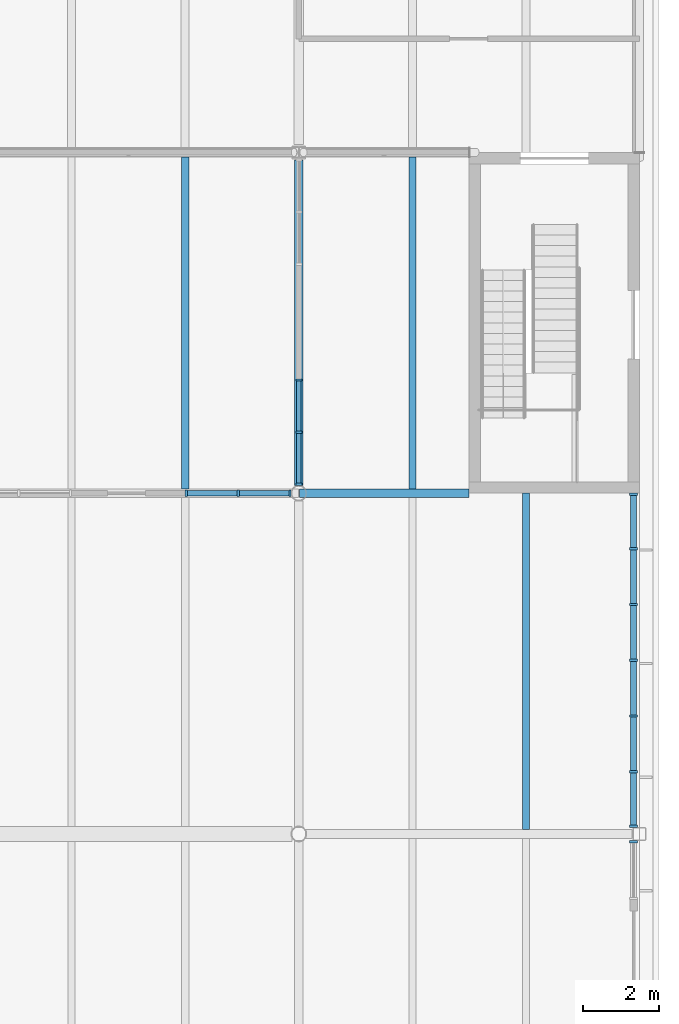
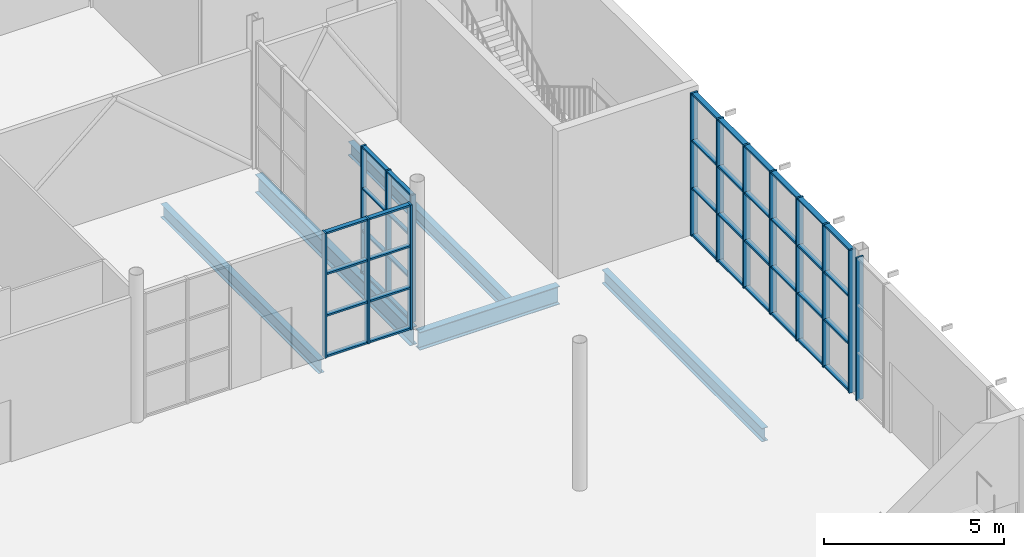
# One storey, part 25 of 63: 54 members, 5 beams, 4 elements without a shape of their own.
"""IFC4 building model written with IfcOpenShell, lengths in metres."""

from ifc_helpers import new_model, si_unit, direction, frame, origin, origin_2d, place, context, subcontext, project, spatial, rectangle, i_section, extrude, material, layer, layer_set, material_profile, profile_set, type_object, element, aggregate, save


model = new_model("IFC4")

# Units and contexts
model_context = context("Model", 3, precision=1e-05, world=origin(), true_north=direction((0.0, 1.0)))
body_context = subcontext(model_context, "Body", "Model", "MODEL_VIEW")
ifc_project = project(units=[si_unit("LENGTHUNIT", "METRE"), si_unit("AREAUNIT", "SQUARE_METRE"), si_unit("VOLUMEUNIT", "CUBIC_METRE"), si_unit("PLANEANGLEUNIT", "RADIAN"), si_unit("MASSUNIT", "GRAM", prefix="KILO")], contexts=[model_context])

# Site, building, storey
site_placement = place(None, origin())
site = spatial("IfcSite", under=ifc_project, at=site_placement, CompositionType="ELEMENT")
building_placement = place(site_placement, origin())
building = spatial("IfcBuilding", under=site, at=building_placement, Name="Halyard Row Museum", CompositionType="ELEMENT")
storey_placement = place(building_placement, origin())
storey = spatial("IfcBuildingStorey", under=building, at=storey_placement, Name="L00", CompositionType="ELEMENT", Elevation=0.0)

# Curtain wall, members
ifc_material_1 = material(Name="Double glazed unit, low-emissivity", Category="glass")
ifc_layer_1 = layer(ifc_material_1, 0.179931640625)
ifc_layer_set_1 = layer_set([ifc_layer_1], Name="Double glazed unit, low-emissivity")
curtain_wall_type_1 = type_object("IfcCurtainWallType", Name="Curtain wall stick 180 deep", PredefinedType="NOTDEFINED", material=ifc_layer_set_1)
curtain_wall_1_placement = place(storey_placement, origin())
curtain_wall_1 = element("IfcCurtainWall", 1, at=curtain_wall_1_placement, inside=storey, type_object=curtain_wall_type_1, Name="Curtain wall CW139", PredefinedType="NOTDEFINED")
ifc_material_2 = material(Name="Powder-coated aluminium section", Category="aluminium")
ifc_material_profile_1 = material_profile(ifc_material_2, rectangle(XDim=0.179931640625, YDim=0.06005859375, at=origin_2d()), Name="180x60 mullion")
ifc_profile_set_1 = profile_set([ifc_material_profile_1], Name="Powder-coated aluminium section")
member_type_1 = type_object("IfcMemberType", Name="Curtain wall mullion CM2 60 x 180", PredefinedType="MULLION", material=ifc_profile_set_1)
member_1_placement = place(storey_placement, frame((96.030029296875, 27.0, 0.0), z_axis=(0.0, 0.0, 1.0), x_axis=(0.0, 1.0, 0.0)))
member_1 = element("IfcMember", 2, at=member_1_placement, type_object=member_type_1, Name="CW139 mullion 1", PredefinedType="MULLION", context=body_context, shape_type="SweptSolid", body=[
    extrude(rectangle(XDim=0.179931640625, YDim=0.06005859375, at=origin_2d()), origin(), (0.0, 0.0, 1.0), 4.22802734375),
])
member_2_placement = place(storey_placement, frame((97.3984375, 27.0, 0.0), z_axis=(0.0, 0.0, 1.0), x_axis=(0.0, 1.0, 0.0)))
member_2 = element("IfcMember", 3, at=member_2_placement, type_object=member_type_1, Name="CW139 mullion 2", PredefinedType="MULLION", context=body_context, shape_type="SweptSolid", body=[
    extrude(rectangle(XDim=0.179931640625, YDim=0.06005859375, at=origin_2d()), origin(), (0.0, 0.0, 1.0), 4.22802734375),
])
member_3_placement = place(storey_placement, frame((98.766845703125, 27.0, 0.0), z_axis=(0.0, 0.0, 1.0), x_axis=(0.0, 1.0, 0.0)))
member_3 = element("IfcMember", 4, at=member_3_placement, type_object=member_type_1, Name="CW139 mullion 3", PredefinedType="MULLION", context=body_context, shape_type="SweptSolid", body=[
    extrude(rectangle(XDim=0.179931640625, YDim=0.06005859375, at=origin_2d()), origin(), (0.0, 0.0, 1.0), 4.22802734375),
])

# Curtain wall, member
ifc_material_3 = material(Name="Double glazed unit, low-emissivity", Category="glass")
ifc_layer_2 = layer(ifc_material_3, 0.219970703125)
ifc_layer_set_2 = layer_set([ifc_layer_2], Name="Double glazed unit, low-emissivity")
curtain_wall_type_2 = type_object("IfcCurtainWallType", Name="Curtain wall unitised 220 deep", PredefinedType="NOTDEFINED", material=ifc_layer_set_2)
curtain_wall_2_placement = place(storey_placement, origin())
curtain_wall_2 = element("IfcCurtainWall", 5, at=curtain_wall_2_placement, inside=storey, type_object=curtain_wall_type_2, Name="Curtain wall CW007", PredefinedType="NOTDEFINED")
ifc_material_4 = material(Name="Powder-coated aluminium section", Category="aluminium")
ifc_material_profile_2 = material_profile(ifc_material_4, rectangle(XDim=0.219970703125, YDim=0.06005859375, at=origin_2d()), Name="220x60 mullion")
ifc_profile_set_2 = profile_set([ifc_material_profile_2], Name="Powder-coated aluminium section")
member_type_2 = type_object("IfcMemberType", Name="Curtain wall mullion CM3 60 x 220", PredefinedType="MULLION", material=ifc_profile_set_2)
member_4_placement = place(storey_placement, frame((107.840087890625, 17.794921875, 0.0), z_axis=(0.0, 0.0, 1.0), x_axis=(-1.0, 0.0, 0.0)))
member_4 = element("IfcMember", 6, at=member_4_placement, type_object=member_type_2, Name="CW007 mullion 2", PredefinedType="MULLION", context=body_context, shape_type="SweptSolid", body=[
    extrude(rectangle(XDim=0.219970703125, YDim=0.06005859375, at=origin_2d()), origin(), (0.0, 0.0, 1.0), 4.8349609375),
])
aggregate(curtain_wall_2, [member_4])

# Curtain wall, members
curtain_wall_3_placement = place(storey_placement, origin())
curtain_wall_3 = element("IfcCurtainWall", 7, at=curtain_wall_3_placement, inside=storey, type_object=curtain_wall_type_2, Name="Curtain wall CW008", PredefinedType="NOTDEFINED")
member_5_placement = place(storey_placement, frame((107.840087890625, 18.205078125, 0.0), z_axis=(0.0, 0.0, 1.0), x_axis=(-1.0, 0.0, 0.0)))
member_5 = element("IfcMember", 8, at=member_5_placement, type_object=member_type_2, Name="CW008 mullion 1", PredefinedType="MULLION", context=body_context, shape_type="SweptSolid", body=[
    extrude(rectangle(XDim=0.219970703125, YDim=0.06005859375, at=origin_2d()), origin(), (0.0, 0.0, 1.0), 4.8349609375),
])
member_6_placement = place(storey_placement, frame((107.840087890625, 19.645751953125, 0.0), z_axis=(0.0, 0.0, 1.0), x_axis=(-1.0, 0.0, 0.0)))
member_6 = element("IfcMember", 9, at=member_6_placement, type_object=member_type_2, Name="CW008 mullion 2", PredefinedType="MULLION", context=body_context, shape_type="SweptSolid", body=[
    extrude(rectangle(XDim=0.219970703125, YDim=0.06005859375, at=origin_2d()), origin(), (0.0, 0.0, 1.0), 4.8349609375),
])
member_7_placement = place(storey_placement, frame((107.840087890625, 21.11669921875, 0.0), z_axis=(0.0, 0.0, 1.0), x_axis=(-1.0, 0.0, 0.0)))
member_7 = element("IfcMember", 10, at=member_7_placement, type_object=member_type_2, Name="CW008 mullion 3", PredefinedType="MULLION", context=body_context, shape_type="SweptSolid", body=[
    extrude(rectangle(XDim=0.219970703125, YDim=0.06005859375, at=origin_2d()), origin(), (0.0, 0.0, 1.0), 4.8349609375),
])
member_8_placement = place(storey_placement, frame((107.840087890625, 22.58740234375, 0.0), z_axis=(0.0, 0.0, 1.0), x_axis=(-1.0, 0.0, 0.0)))
member_8 = element("IfcMember", 11, at=member_8_placement, type_object=member_type_2, Name="CW008 mullion 4", PredefinedType="MULLION", context=body_context, shape_type="SweptSolid", body=[
    extrude(rectangle(XDim=0.219970703125, YDim=0.06005859375, at=origin_2d()), origin(), (0.0, 0.0, 1.0), 4.8349609375),
])
member_9_placement = place(storey_placement, frame((107.840087890625, 24.058349609375, 0.0), z_axis=(0.0, 0.0, 1.0), x_axis=(-1.0, 0.0, 0.0)))
member_9 = element("IfcMember", 12, at=member_9_placement, type_object=member_type_2, Name="CW008 mullion 5", PredefinedType="MULLION", context=body_context, shape_type="SweptSolid", body=[
    extrude(rectangle(XDim=0.219970703125, YDim=0.06005859375, at=origin_2d()), origin(), (0.0, 0.0, 1.0), 4.8349609375),
])
member_10_placement = place(storey_placement, frame((107.840087890625, 25.529052734375, 0.0), z_axis=(0.0, 0.0, 1.0), x_axis=(-1.0, 0.0, 0.0)))
member_10 = element("IfcMember", 13, at=member_10_placement, type_object=member_type_2, Name="CW008 mullion 6", PredefinedType="MULLION", context=body_context, shape_type="SweptSolid", body=[
    extrude(rectangle(XDim=0.219970703125, YDim=0.06005859375, at=origin_2d()), origin(), (0.0, 0.0, 1.0), 4.8349609375),
])
member_11_placement = place(storey_placement, frame((107.840087890625, 26.969970703125, 0.0), z_axis=(0.0, 0.0, 1.0), x_axis=(-1.0, 0.0, 0.0)))
member_11 = element("IfcMember", 14, at=member_11_placement, type_object=member_type_2, Name="CW008 mullion 7", PredefinedType="MULLION", context=body_context, shape_type="SweptSolid", body=[
    extrude(rectangle(XDim=0.219970703125, YDim=0.06005859375, at=origin_2d()), origin(), (0.0, 0.0, 1.0), 4.8349609375),
])

ifc_material_5 = material(Name="Fire-resisting laminated glazing", Category="glass")
ifc_layer_3 = layer(ifc_material_5, 0.159912109375)
ifc_layer_set_3 = layer_set([ifc_layer_3], Name="Fire-resisting laminated glazing")
curtain_wall_type_3 = type_object("IfcCurtainWallType", Name="Curtain wall atrium screen 160 deep", PredefinedType="NOTDEFINED", material=ifc_layer_set_3)
curtain_wall_4_placement = place(storey_placement, origin())
curtain_wall_4 = element("IfcCurtainWall", 15, at=curtain_wall_4_placement, inside=storey, type_object=curtain_wall_type_3, Name="Curtain wall CW140", PredefinedType="NOTDEFINED")
ifc_material_6 = material(Name="Powder-coated aluminium section", Category="aluminium")
ifc_material_profile_3 = material_profile(ifc_material_6, rectangle(XDim=0.159912109375, YDim=0.06005859375, at=origin_2d()), Name="160x60 mullion")
ifc_profile_set_3 = profile_set([ifc_material_profile_3], Name="Powder-coated aluminium section")
member_type_3 = type_object("IfcMemberType", Name="Curtain wall mullion CM5 60 x 160", PredefinedType="MULLION", material=ifc_profile_set_3)
member_12_placement = place(storey_placement, frame((99.0, 27.233154296875, 0.0), z_axis=(0.0, 0.0, 1.0), x_axis=(-1.0, 0.0, 0.0)))
member_12 = element("IfcMember", 16, at=member_12_placement, type_object=member_type_3, Name="CW140 mullion 1", PredefinedType="MULLION", context=body_context, shape_type="SweptSolid", body=[
    extrude(rectangle(XDim=0.159912109375, YDim=0.06005859375, at=origin_2d()), origin(), (0.0, 0.0, 1.0), 4.302001953125),
])
member_13_placement = place(storey_placement, frame((99.0, 28.610107421875, 0.0), z_axis=(0.0, 0.0, 1.0), x_axis=(-1.0, 0.0, 0.0)))
member_13 = element("IfcMember", 17, at=member_13_placement, type_object=member_type_3, Name="CW140 mullion 2", PredefinedType="MULLION", context=body_context, shape_type="SweptSolid", body=[
    extrude(rectangle(XDim=0.159912109375, YDim=0.06005859375, at=origin_2d()), origin(), (0.0, 0.0, 1.0), 4.302001953125),
])
member_14_placement = place(storey_placement, frame((99.0, 29.98681640625, 0.0), z_axis=(0.0, 0.0, 1.0), x_axis=(-1.0, 0.0, 0.0)))
member_14 = element("IfcMember", 18, at=member_14_placement, type_object=member_type_3, Name="CW140 mullion 3", PredefinedType="MULLION", context=body_context, shape_type="SweptSolid", body=[
    extrude(rectangle(XDim=0.159912109375, YDim=0.06005859375, at=origin_2d()), origin(), (0.0, 0.0, 1.0), 4.302001953125),
])

# Member
ifc_material_7 = material(Name="Powder-coated aluminium section", Category="aluminium")
ifc_material_profile_4 = material_profile(ifc_material_7, rectangle(XDim=0.139892578125, YDim=0.06005859375, at=origin_2d()), Name="140x60 transom")
ifc_profile_set_4 = profile_set([ifc_material_profile_4], Name="Powder-coated aluminium section")
member_type_4 = type_object("IfcMemberType", Name="Curtain wall transom CT2 60 x 140", PredefinedType="USERDEFINED", material=ifc_profile_set_4)
member_15_placement = place(storey_placement, frame((96.06005859375, 27.0, 0.030029296875), z_axis=(1.0, 0.0, 0.0), x_axis=(0.0, 1.0, 0.0)))
member_15 = element("IfcMember", 19, at=member_15_placement, type_object=member_type_4, Name="CW139 transom 1.1", ObjectType="TRANSOM", PredefinedType="USERDEFINED", context=body_context, shape_type="SweptSolid", body=[
    extrude(rectangle(XDim=0.139892578125, YDim=0.06005859375, at=origin_2d()), origin(), (0.0, 0.0, 1.0), 1.308349609375),
])

member_16_placement = place(storey_placement, frame((96.06005859375, 27.0, 1.409423828125), z_axis=(1.0, 0.0, 0.0), x_axis=(0.0, 1.0, 0.0)))
member_16 = element("IfcMember", 20, at=member_16_placement, type_object=member_type_4, Name="CW139 transom 1.2", ObjectType="TRANSOM", PredefinedType="USERDEFINED", context=body_context, shape_type="SweptSolid", body=[
    extrude(rectangle(XDim=0.139892578125, YDim=0.06005859375, at=origin_2d()), origin(), (0.0, 0.0, 1.0), 1.308349609375),
])

member_17_placement = place(storey_placement, frame((96.06005859375, 27.0, 2.818603515625), z_axis=(1.0, 0.0, 0.0), x_axis=(0.0, 1.0, 0.0)))
member_17 = element("IfcMember", 21, at=member_17_placement, type_object=member_type_4, Name="CW139 transom 1.3", ObjectType="TRANSOM", PredefinedType="USERDEFINED", context=body_context, shape_type="SweptSolid", body=[
    extrude(rectangle(XDim=0.139892578125, YDim=0.06005859375, at=origin_2d()), origin(), (0.0, 0.0, 1.0), 1.308349609375),
])

member_18_placement = place(storey_placement, frame((96.06005859375, 27.0, 4.197998046875), z_axis=(1.0, 0.0, 0.0), x_axis=(0.0, 1.0, 0.0)))
member_18 = element("IfcMember", 22, at=member_18_placement, type_object=member_type_4, Name="CW139 transom 1.4", ObjectType="TRANSOM", PredefinedType="USERDEFINED", context=body_context, shape_type="SweptSolid", body=[
    extrude(rectangle(XDim=0.139892578125, YDim=0.06005859375, at=origin_2d()), origin(), (0.0, 0.0, 1.0), 1.308349609375),
])

member_19_placement = place(storey_placement, frame((97.428466796875, 27.0, 0.030029296875), z_axis=(1.0, 0.0, 0.0), x_axis=(0.0, 1.0, 0.0)))
member_19 = element("IfcMember", 23, at=member_19_placement, type_object=member_type_4, Name="CW139 transom 2.1", ObjectType="TRANSOM", PredefinedType="USERDEFINED", context=body_context, shape_type="SweptSolid", body=[
    extrude(rectangle(XDim=0.139892578125, YDim=0.06005859375, at=origin_2d()), origin(), (0.0, 0.0, 1.0), 1.308349609375),
])

member_20_placement = place(storey_placement, frame((97.428466796875, 27.0, 1.409423828125), z_axis=(1.0, 0.0, 0.0), x_axis=(0.0, 1.0, 0.0)))
member_20 = element("IfcMember", 24, at=member_20_placement, type_object=member_type_4, Name="CW139 transom 2.2", ObjectType="TRANSOM", PredefinedType="USERDEFINED", context=body_context, shape_type="SweptSolid", body=[
    extrude(rectangle(XDim=0.139892578125, YDim=0.06005859375, at=origin_2d()), origin(), (0.0, 0.0, 1.0), 1.308349609375),
])

member_21_placement = place(storey_placement, frame((97.428466796875, 27.0, 2.818603515625), z_axis=(1.0, 0.0, 0.0), x_axis=(0.0, 1.0, 0.0)))
member_21 = element("IfcMember", 25, at=member_21_placement, type_object=member_type_4, Name="CW139 transom 2.3", ObjectType="TRANSOM", PredefinedType="USERDEFINED", context=body_context, shape_type="SweptSolid", body=[
    extrude(rectangle(XDim=0.139892578125, YDim=0.06005859375, at=origin_2d()), origin(), (0.0, 0.0, 1.0), 1.308349609375),
])

member_22_placement = place(storey_placement, frame((97.428466796875, 27.0, 4.197998046875), z_axis=(1.0, 0.0, 0.0), x_axis=(0.0, 1.0, 0.0)))
member_22 = element("IfcMember", 26, at=member_22_placement, type_object=member_type_4, Name="CW139 transom 2.4", ObjectType="TRANSOM", PredefinedType="USERDEFINED", context=body_context, shape_type="SweptSolid", body=[
    extrude(rectangle(XDim=0.139892578125, YDim=0.06005859375, at=origin_2d()), origin(), (0.0, 0.0, 1.0), 1.308349609375),
])

aggregate(curtain_wall_1, [member_1, member_2, member_3, member_15, member_16, member_17, member_18, member_19, member_20, member_21, member_22])

ifc_material_8 = material(Name="Powder-coated aluminium section", Category="aluminium")
ifc_material_profile_5 = material_profile(ifc_material_8, rectangle(XDim=0.159912109375, YDim=0.06005859375, at=origin_2d()), Name="160x60 transom")
ifc_profile_set_5 = profile_set([ifc_material_profile_5], Name="Powder-coated aluminium section")
member_type_5 = type_object("IfcMemberType", Name="Curtain wall transom CT3 60 x 160", PredefinedType="USERDEFINED", material=ifc_profile_set_5)
member_23_placement = place(storey_placement, frame((107.840087890625, 18.235107421875, 0.030029296875), z_axis=(0.0, 1.0, 0.0), x_axis=(-1.0, 0.0, 0.0)))
member_23 = element("IfcMember", 27, at=member_23_placement, type_object=member_type_5, Name="CW008 transom 1.1", ObjectType="TRANSOM", PredefinedType="USERDEFINED", context=body_context, shape_type="SweptSolid", body=[
    extrude(rectangle(XDim=0.159912109375, YDim=0.06005859375, at=origin_2d()), origin(), (0.0, 0.0, 1.0), 1.380615234375),
])

member_24_placement = place(storey_placement, frame((107.840087890625, 18.235107421875, 1.611572265625), z_axis=(0.0, 1.0, 0.0), x_axis=(-1.0, 0.0, 0.0)))
member_24 = element("IfcMember", 28, at=member_24_placement, type_object=member_type_5, Name="CW008 transom 1.2", ObjectType="TRANSOM", PredefinedType="USERDEFINED", context=body_context, shape_type="SweptSolid", body=[
    extrude(rectangle(XDim=0.159912109375, YDim=0.06005859375, at=origin_2d()), origin(), (0.0, 0.0, 1.0), 1.380615234375),
])

member_25_placement = place(storey_placement, frame((107.840087890625, 18.235107421875, 3.223388671875), z_axis=(0.0, 1.0, 0.0), x_axis=(-1.0, 0.0, 0.0)))
member_25 = element("IfcMember", 29, at=member_25_placement, type_object=member_type_5, Name="CW008 transom 1.3", ObjectType="TRANSOM", PredefinedType="USERDEFINED", context=body_context, shape_type="SweptSolid", body=[
    extrude(rectangle(XDim=0.159912109375, YDim=0.06005859375, at=origin_2d()), origin(), (0.0, 0.0, 1.0), 1.380615234375),
])

member_26_placement = place(storey_placement, frame((107.840087890625, 18.235107421875, 4.804931640625), z_axis=(0.0, 1.0, 0.0), x_axis=(-1.0, 0.0, 0.0)))
member_26 = element("IfcMember", 30, at=member_26_placement, type_object=member_type_5, Name="CW008 transom 1.4", ObjectType="TRANSOM", PredefinedType="USERDEFINED", context=body_context, shape_type="SweptSolid", body=[
    extrude(rectangle(XDim=0.159912109375, YDim=0.06005859375, at=origin_2d()), origin(), (0.0, 0.0, 1.0), 1.380615234375),
])

member_27_placement = place(storey_placement, frame((107.840087890625, 19.67578125, 0.030029296875), z_axis=(0.0, 1.0, 0.0), x_axis=(-1.0, 0.0, 0.0)))
member_27 = element("IfcMember", 31, at=member_27_placement, type_object=member_type_5, Name="CW008 transom 2.1", ObjectType="TRANSOM", PredefinedType="USERDEFINED", context=body_context, shape_type="SweptSolid", body=[
    extrude(rectangle(XDim=0.159912109375, YDim=0.06005859375, at=origin_2d()), origin(), (0.0, 0.0, 1.0), 1.410888671875),
])

member_28_placement = place(storey_placement, frame((107.840087890625, 19.67578125, 1.611572265625), z_axis=(0.0, 1.0, 0.0), x_axis=(-1.0, 0.0, 0.0)))
member_28 = element("IfcMember", 32, at=member_28_placement, type_object=member_type_5, Name="CW008 transom 2.2", ObjectType="TRANSOM", PredefinedType="USERDEFINED", context=body_context, shape_type="SweptSolid", body=[
    extrude(rectangle(XDim=0.159912109375, YDim=0.06005859375, at=origin_2d()), origin(), (0.0, 0.0, 1.0), 1.410888671875),
])

member_29_placement = place(storey_placement, frame((107.840087890625, 19.67578125, 3.223388671875), z_axis=(0.0, 1.0, 0.0), x_axis=(-1.0, 0.0, 0.0)))
member_29 = element("IfcMember", 33, at=member_29_placement, type_object=member_type_5, Name="CW008 transom 2.3", ObjectType="TRANSOM", PredefinedType="USERDEFINED", context=body_context, shape_type="SweptSolid", body=[
    extrude(rectangle(XDim=0.159912109375, YDim=0.06005859375, at=origin_2d()), origin(), (0.0, 0.0, 1.0), 1.410888671875),
])

member_30_placement = place(storey_placement, frame((107.840087890625, 19.67578125, 4.804931640625), z_axis=(0.0, 1.0, 0.0), x_axis=(-1.0, 0.0, 0.0)))
member_30 = element("IfcMember", 34, at=member_30_placement, type_object=member_type_5, Name="CW008 transom 2.4", ObjectType="TRANSOM", PredefinedType="USERDEFINED", context=body_context, shape_type="SweptSolid", body=[
    extrude(rectangle(XDim=0.159912109375, YDim=0.06005859375, at=origin_2d()), origin(), (0.0, 0.0, 1.0), 1.410888671875),
])

member_31_placement = place(storey_placement, frame((107.840087890625, 21.146728515625, 0.030029296875), z_axis=(0.0, 1.0, 0.0), x_axis=(-1.0, 0.0, 0.0)))
member_31 = element("IfcMember", 35, at=member_31_placement, type_object=member_type_5, Name="CW008 transom 3.1", ObjectType="TRANSOM", PredefinedType="USERDEFINED", context=body_context, shape_type="SweptSolid", body=[
    extrude(rectangle(XDim=0.159912109375, YDim=0.06005859375, at=origin_2d()), origin(), (0.0, 0.0, 1.0), 1.410888671875),
])

member_32_placement = place(storey_placement, frame((107.840087890625, 21.146728515625, 1.611572265625), z_axis=(0.0, 1.0, 0.0), x_axis=(-1.0, 0.0, 0.0)))
member_32 = element("IfcMember", 36, at=member_32_placement, type_object=member_type_5, Name="CW008 transom 3.2", ObjectType="TRANSOM", PredefinedType="USERDEFINED", context=body_context, shape_type="SweptSolid", body=[
    extrude(rectangle(XDim=0.159912109375, YDim=0.06005859375, at=origin_2d()), origin(), (0.0, 0.0, 1.0), 1.410888671875),
])

member_33_placement = place(storey_placement, frame((107.840087890625, 21.146728515625, 3.223388671875), z_axis=(0.0, 1.0, 0.0), x_axis=(-1.0, 0.0, 0.0)))
member_33 = element("IfcMember", 37, at=member_33_placement, type_object=member_type_5, Name="CW008 transom 3.3", ObjectType="TRANSOM", PredefinedType="USERDEFINED", context=body_context, shape_type="SweptSolid", body=[
    extrude(rectangle(XDim=0.159912109375, YDim=0.06005859375, at=origin_2d()), origin(), (0.0, 0.0, 1.0), 1.410888671875),
])

member_34_placement = place(storey_placement, frame((107.840087890625, 21.146728515625, 4.804931640625), z_axis=(0.0, 1.0, 0.0), x_axis=(-1.0, 0.0, 0.0)))
member_34 = element("IfcMember", 38, at=member_34_placement, type_object=member_type_5, Name="CW008 transom 3.4", ObjectType="TRANSOM", PredefinedType="USERDEFINED", context=body_context, shape_type="SweptSolid", body=[
    extrude(rectangle(XDim=0.159912109375, YDim=0.06005859375, at=origin_2d()), origin(), (0.0, 0.0, 1.0), 1.410888671875),
])

member_35_placement = place(storey_placement, frame((107.840087890625, 22.617431640625, 0.030029296875), z_axis=(0.0, 1.0, 0.0), x_axis=(-1.0, 0.0, 0.0)))
member_35 = element("IfcMember", 39, at=member_35_placement, type_object=member_type_5, Name="CW008 transom 4.1", ObjectType="TRANSOM", PredefinedType="USERDEFINED", context=body_context, shape_type="SweptSolid", body=[
    extrude(rectangle(XDim=0.159912109375, YDim=0.06005859375, at=origin_2d()), origin(), (0.0, 0.0, 1.0), 1.410888671875),
])

member_36_placement = place(storey_placement, frame((107.840087890625, 22.617431640625, 1.611572265625), z_axis=(0.0, 1.0, 0.0), x_axis=(-1.0, 0.0, 0.0)))
member_36 = element("IfcMember", 40, at=member_36_placement, type_object=member_type_5, Name="CW008 transom 4.2", ObjectType="TRANSOM", PredefinedType="USERDEFINED", context=body_context, shape_type="SweptSolid", body=[
    extrude(rectangle(XDim=0.159912109375, YDim=0.06005859375, at=origin_2d()), origin(), (0.0, 0.0, 1.0), 1.410888671875),
])

member_37_placement = place(storey_placement, frame((107.840087890625, 22.617431640625, 3.223388671875), z_axis=(0.0, 1.0, 0.0), x_axis=(-1.0, 0.0, 0.0)))
member_37 = element("IfcMember", 41, at=member_37_placement, type_object=member_type_5, Name="CW008 transom 4.3", ObjectType="TRANSOM", PredefinedType="USERDEFINED", context=body_context, shape_type="SweptSolid", body=[
    extrude(rectangle(XDim=0.159912109375, YDim=0.06005859375, at=origin_2d()), origin(), (0.0, 0.0, 1.0), 1.410888671875),
])

member_38_placement = place(storey_placement, frame((107.840087890625, 22.617431640625, 4.804931640625), z_axis=(0.0, 1.0, 0.0), x_axis=(-1.0, 0.0, 0.0)))
member_38 = element("IfcMember", 42, at=member_38_placement, type_object=member_type_5, Name="CW008 transom 4.4", ObjectType="TRANSOM", PredefinedType="USERDEFINED", context=body_context, shape_type="SweptSolid", body=[
    extrude(rectangle(XDim=0.159912109375, YDim=0.06005859375, at=origin_2d()), origin(), (0.0, 0.0, 1.0), 1.410888671875),
])

member_39_placement = place(storey_placement, frame((107.840087890625, 24.08837890625, 0.030029296875), z_axis=(0.0, 1.0, 0.0), x_axis=(-1.0, 0.0, 0.0)))
member_39 = element("IfcMember", 43, at=member_39_placement, type_object=member_type_5, Name="CW008 transom 5.1", ObjectType="TRANSOM", PredefinedType="USERDEFINED", context=body_context, shape_type="SweptSolid", body=[
    extrude(rectangle(XDim=0.159912109375, YDim=0.06005859375, at=origin_2d()), origin(), (0.0, 0.0, 1.0), 1.410888671875),
])

member_40_placement = place(storey_placement, frame((107.840087890625, 24.08837890625, 1.611572265625), z_axis=(0.0, 1.0, 0.0), x_axis=(-1.0, 0.0, 0.0)))
member_40 = element("IfcMember", 44, at=member_40_placement, type_object=member_type_5, Name="CW008 transom 5.2", ObjectType="TRANSOM", PredefinedType="USERDEFINED", context=body_context, shape_type="SweptSolid", body=[
    extrude(rectangle(XDim=0.159912109375, YDim=0.06005859375, at=origin_2d()), origin(), (0.0, 0.0, 1.0), 1.410888671875),
])

member_41_placement = place(storey_placement, frame((107.840087890625, 24.08837890625, 3.223388671875), z_axis=(0.0, 1.0, 0.0), x_axis=(-1.0, 0.0, 0.0)))
member_41 = element("IfcMember", 45, at=member_41_placement, type_object=member_type_5, Name="CW008 transom 5.3", ObjectType="TRANSOM", PredefinedType="USERDEFINED", context=body_context, shape_type="SweptSolid", body=[
    extrude(rectangle(XDim=0.159912109375, YDim=0.06005859375, at=origin_2d()), origin(), (0.0, 0.0, 1.0), 1.410888671875),
])

member_42_placement = place(storey_placement, frame((107.840087890625, 24.08837890625, 4.804931640625), z_axis=(0.0, 1.0, 0.0), x_axis=(-1.0, 0.0, 0.0)))
member_42 = element("IfcMember", 46, at=member_42_placement, type_object=member_type_5, Name="CW008 transom 5.4", ObjectType="TRANSOM", PredefinedType="USERDEFINED", context=body_context, shape_type="SweptSolid", body=[
    extrude(rectangle(XDim=0.159912109375, YDim=0.06005859375, at=origin_2d()), origin(), (0.0, 0.0, 1.0), 1.410888671875),
])

member_43_placement = place(storey_placement, frame((107.840087890625, 25.55908203125, 0.030029296875), z_axis=(0.0, 1.0, 0.0), x_axis=(-1.0, 0.0, 0.0)))
member_43 = element("IfcMember", 47, at=member_43_placement, type_object=member_type_5, Name="CW008 transom 6.1", ObjectType="TRANSOM", PredefinedType="USERDEFINED", context=body_context, shape_type="SweptSolid", body=[
    extrude(rectangle(XDim=0.159912109375, YDim=0.06005859375, at=origin_2d()), origin(), (0.0, 0.0, 1.0), 1.380859375),
])

member_44_placement = place(storey_placement, frame((107.840087890625, 25.55908203125, 1.611572265625), z_axis=(0.0, 1.0, 0.0), x_axis=(-1.0, 0.0, 0.0)))
member_44 = element("IfcMember", 48, at=member_44_placement, type_object=member_type_5, Name="CW008 transom 6.2", ObjectType="TRANSOM", PredefinedType="USERDEFINED", context=body_context, shape_type="SweptSolid", body=[
    extrude(rectangle(XDim=0.159912109375, YDim=0.06005859375, at=origin_2d()), origin(), (0.0, 0.0, 1.0), 1.380859375),
])

member_45_placement = place(storey_placement, frame((107.840087890625, 25.55908203125, 3.223388671875), z_axis=(0.0, 1.0, 0.0), x_axis=(-1.0, 0.0, 0.0)))
member_45 = element("IfcMember", 49, at=member_45_placement, type_object=member_type_5, Name="CW008 transom 6.3", ObjectType="TRANSOM", PredefinedType="USERDEFINED", context=body_context, shape_type="SweptSolid", body=[
    extrude(rectangle(XDim=0.159912109375, YDim=0.06005859375, at=origin_2d()), origin(), (0.0, 0.0, 1.0), 1.380859375),
])

member_46_placement = place(storey_placement, frame((107.840087890625, 25.55908203125, 4.804931640625), z_axis=(0.0, 1.0, 0.0), x_axis=(-1.0, 0.0, 0.0)))
member_46 = element("IfcMember", 50, at=member_46_placement, type_object=member_type_5, Name="CW008 transom 6.4", ObjectType="TRANSOM", PredefinedType="USERDEFINED", context=body_context, shape_type="SweptSolid", body=[
    extrude(rectangle(XDim=0.159912109375, YDim=0.06005859375, at=origin_2d()), origin(), (0.0, 0.0, 1.0), 1.380859375),
])

aggregate(curtain_wall_3, [member_5, member_6, member_7, member_8, member_9, member_10, member_11, member_23, member_24, member_25, member_26, member_27, member_28, member_29, member_30, member_31, member_32, member_33, member_34, member_35, member_36, member_37, member_38, member_39, member_40, member_41, member_42, member_43, member_44, member_45, member_46])

ifc_material_9 = material(Name="Powder-coated aluminium section", Category="aluminium")
ifc_material_profile_6 = material_profile(ifc_material_9, rectangle(XDim=0.1201171875, YDim=0.06005859375, at=origin_2d()), Name="120x60 transom")
ifc_profile_set_6 = profile_set([ifc_material_profile_6], Name="Powder-coated aluminium section")
member_type_6 = type_object("IfcMemberType", Name="Curtain wall transom CT5 60 x 120", PredefinedType="USERDEFINED", material=ifc_profile_set_6)
member_47_placement = place(storey_placement, frame((99.0, 27.26318359375, 0.030029296875), z_axis=(0.0, 1.0, 0.0), x_axis=(-1.0, 0.0, 0.0)))
member_47 = element("IfcMember", 51, at=member_47_placement, type_object=member_type_6, Name="CW140 transom 1.1", ObjectType="TRANSOM", PredefinedType="USERDEFINED", context=body_context, shape_type="SweptSolid", body=[
    extrude(rectangle(XDim=0.1201171875, YDim=0.06005859375, at=origin_2d()), origin(), (0.0, 0.0, 1.0), 1.31689453125),
])

member_48_placement = place(storey_placement, frame((99.0, 27.26318359375, 1.43408203125), z_axis=(0.0, 1.0, 0.0), x_axis=(-1.0, 0.0, 0.0)))
member_48 = element("IfcMember", 52, at=member_48_placement, type_object=member_type_6, Name="CW140 transom 1.2", ObjectType="TRANSOM", PredefinedType="USERDEFINED", context=body_context, shape_type="SweptSolid", body=[
    extrude(rectangle(XDim=0.1201171875, YDim=0.06005859375, at=origin_2d()), origin(), (0.0, 0.0, 1.0), 1.31689453125),
])

member_49_placement = place(storey_placement, frame((99.0, 27.26318359375, 2.867919921875), z_axis=(0.0, 1.0, 0.0), x_axis=(-1.0, 0.0, 0.0)))
member_49 = element("IfcMember", 53, at=member_49_placement, type_object=member_type_6, Name="CW140 transom 1.3", ObjectType="TRANSOM", PredefinedType="USERDEFINED", context=body_context, shape_type="SweptSolid", body=[
    extrude(rectangle(XDim=0.1201171875, YDim=0.06005859375, at=origin_2d()), origin(), (0.0, 0.0, 1.0), 1.31689453125),
])

member_50_placement = place(storey_placement, frame((99.0, 27.26318359375, 4.27197265625), z_axis=(0.0, 1.0, 0.0), x_axis=(-1.0, 0.0, 0.0)))
member_50 = element("IfcMember", 54, at=member_50_placement, type_object=member_type_6, Name="CW140 transom 1.4", ObjectType="TRANSOM", PredefinedType="USERDEFINED", context=body_context, shape_type="SweptSolid", body=[
    extrude(rectangle(XDim=0.1201171875, YDim=0.06005859375, at=origin_2d()), origin(), (0.0, 0.0, 1.0), 1.31689453125),
])

member_51_placement = place(storey_placement, frame((99.0, 28.64013671875, 0.030029296875), z_axis=(0.0, 1.0, 0.0), x_axis=(-1.0, 0.0, 0.0)))
member_51 = element("IfcMember", 55, at=member_51_placement, type_object=member_type_6, Name="CW140 transom 2.1", ObjectType="TRANSOM", PredefinedType="USERDEFINED", context=body_context, shape_type="SweptSolid", body=[
    extrude(rectangle(XDim=0.1201171875, YDim=0.06005859375, at=origin_2d()), origin(), (0.0, 0.0, 1.0), 1.316650390625),
])

member_52_placement = place(storey_placement, frame((99.0, 28.64013671875, 1.43408203125), z_axis=(0.0, 1.0, 0.0), x_axis=(-1.0, 0.0, 0.0)))
member_52 = element("IfcMember", 56, at=member_52_placement, type_object=member_type_6, Name="CW140 transom 2.2", ObjectType="TRANSOM", PredefinedType="USERDEFINED", context=body_context, shape_type="SweptSolid", body=[
    extrude(rectangle(XDim=0.1201171875, YDim=0.06005859375, at=origin_2d()), origin(), (0.0, 0.0, 1.0), 1.316650390625),
])

member_53_placement = place(storey_placement, frame((99.0, 28.64013671875, 2.867919921875), z_axis=(0.0, 1.0, 0.0), x_axis=(-1.0, 0.0, 0.0)))
member_53 = element("IfcMember", 57, at=member_53_placement, type_object=member_type_6, Name="CW140 transom 2.3", ObjectType="TRANSOM", PredefinedType="USERDEFINED", context=body_context, shape_type="SweptSolid", body=[
    extrude(rectangle(XDim=0.1201171875, YDim=0.06005859375, at=origin_2d()), origin(), (0.0, 0.0, 1.0), 1.316650390625),
])

member_54_placement = place(storey_placement, frame((99.0, 28.64013671875, 4.27197265625), z_axis=(0.0, 1.0, 0.0), x_axis=(-1.0, 0.0, 0.0)))
member_54 = element("IfcMember", 58, at=member_54_placement, type_object=member_type_6, Name="CW140 transom 2.4", ObjectType="TRANSOM", PredefinedType="USERDEFINED", context=body_context, shape_type="SweptSolid", body=[
    extrude(rectangle(XDim=0.1201171875, YDim=0.06005859375, at=origin_2d()), origin(), (0.0, 0.0, 1.0), 1.316650390625),
])

aggregate(curtain_wall_4, [member_12, member_13, member_14, member_47, member_48, member_49, member_50, member_51, member_52, member_53, member_54])

# Beams
ifc_material_10 = material(Name="Steel Grade 300", Category="steel")
ifc_material_profile_7 = material_profile(ifc_material_10, i_section(OverallWidth=0.22900390625, OverallDepth=0.611572265625, WebThickness=0.011962890625, FlangeThickness=0.01953125, FilletRadius=0.013916015625, at=origin_2d()), Name="610UB125")
ifc_profile_set_7 = profile_set([ifc_material_profile_7], Name="Steel Grade 300")
beam_type_1 = type_object("IfcBeamType", Name="Girder beam 610UB125", PredefinedType="BEAM", material=ifc_profile_set_7)
beam_1_placement = place(storey_placement, frame((99.012451171875, 27.0, -0.470703125), z_axis=(1.0, 0.0, 0.0), x_axis=(0.0, 1.0, 0.0)))
element("IfcBeam", 59, at=beam_1_placement, inside=storey, type_object=beam_type_1, Name="Beam L00-023", PredefinedType="BEAM", context=body_context, shape_type="SweptSolid", body=[
    extrude(i_section(OverallWidth=0.22900390625, OverallDepth=0.611572265625, WebThickness=0.011962890625, FlangeThickness=0.01953125, FilletRadius=0.013916015625, at=origin_2d()), origin(), (0.0, 0.0, 1.0), 4.487548828125),
])
beam_2_placement = place(storey_placement, frame((99.0, 27.20703125, -0.470703125), z_axis=(0.0, 1.0, 0.0), x_axis=(-1.0, 0.0, 0.0)))
element("IfcBeam", 60, at=beam_2_placement, inside=storey, type_object=beam_type_1, Name="Beam L00-076", PredefinedType="BEAM", context=body_context, shape_type="SweptSolid", body=[
    extrude(i_section(OverallWidth=0.22900390625, OverallDepth=0.611572265625, WebThickness=0.011962890625, FlangeThickness=0.01953125, FilletRadius=0.013916015625, at=origin_2d()), origin(), (0.0, 0.0, 1.0), 8.5859375),
])
ifc_material_11 = material(Name="Steel Grade 300", Category="steel")
ifc_material_profile_8 = material_profile(ifc_material_11, i_section(OverallWidth=0.18994140625, OverallDepth=0.453857421875, WebThickness=0.008544921875, FlangeThickness=0.0126953125, FilletRadius=0.011474609375, at=origin_2d()), Name="460UB67.1")
ifc_profile_set_8 = profile_set([ifc_material_profile_8], Name="Steel Grade 300")
beam_type_2 = type_object("IfcBeamType", Name="Secondary beam 460UB67.1", PredefinedType="BEAM", material=ifc_profile_set_8)
beam_3_placement = place(storey_placement, frame((105.0, 18.114501953125, -0.391845703125), z_axis=(0.0, 1.0, 0.0), x_axis=(-1.0, 0.0, 0.0)))
element("IfcBeam", 61, at=beam_3_placement, inside=storey, type_object=beam_type_2, Name="Beam L00-108", PredefinedType="BEAM", context=body_context, shape_type="SweptSolid", body=[
    extrude(i_section(OverallWidth=0.18994140625, OverallDepth=0.453857421875, WebThickness=0.008544921875, FlangeThickness=0.0126953125, FilletRadius=0.011474609375, at=origin_2d()), origin(), (0.0, 0.0, 1.0), 8.885498046875),
])
for number, where, z_axis, x_axis, name in (
    (62, (96.0, 27.114501953125, -0.391845703125), (0.0, 1.0, 0.0), (-1.0, 0.0, 0.0), "Beam L00-139"),
    (63, (102.0, 27.114501953125, -0.391845703125), (0.0, 1.0, 0.0), (-1.0, 0.0, 0.0), "Beam L00-140"),
):
    element("IfcBeam", number, at=place(storey_placement, frame(where, z_axis=z_axis, x_axis=x_axis)), inside=storey, type_object=beam_type_2, Name=name, PredefinedType="BEAM", context=body_context, shape_type="SweptSolid", body=[
        extrude(i_section(OverallWidth=0.18994140625, OverallDepth=0.453857421875, WebThickness=0.008544921875, FlangeThickness=0.0126953125, FilletRadius=0.011474609375, at=origin_2d()), origin(), (0.0, 0.0, 1.0), 8.760498046875),
    ])

save(model, "model.ifc")
